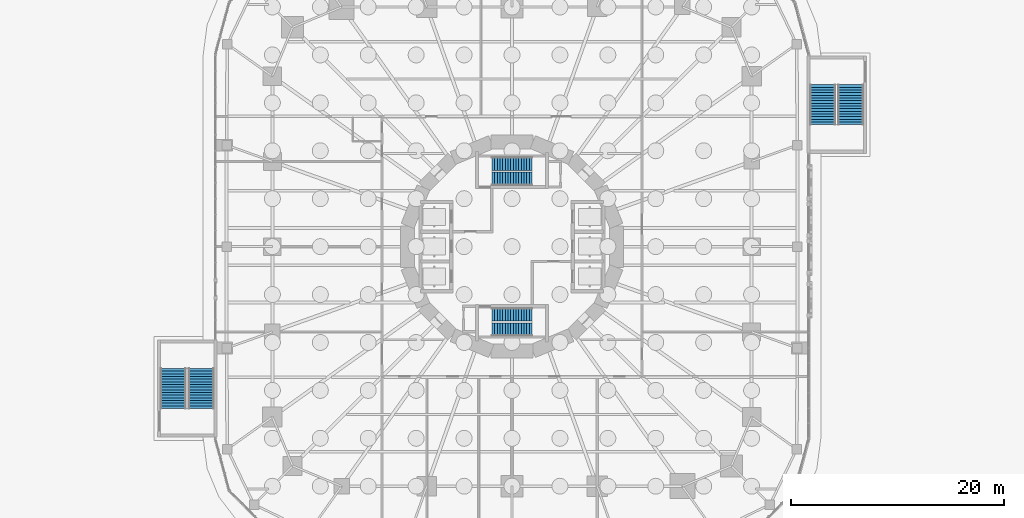
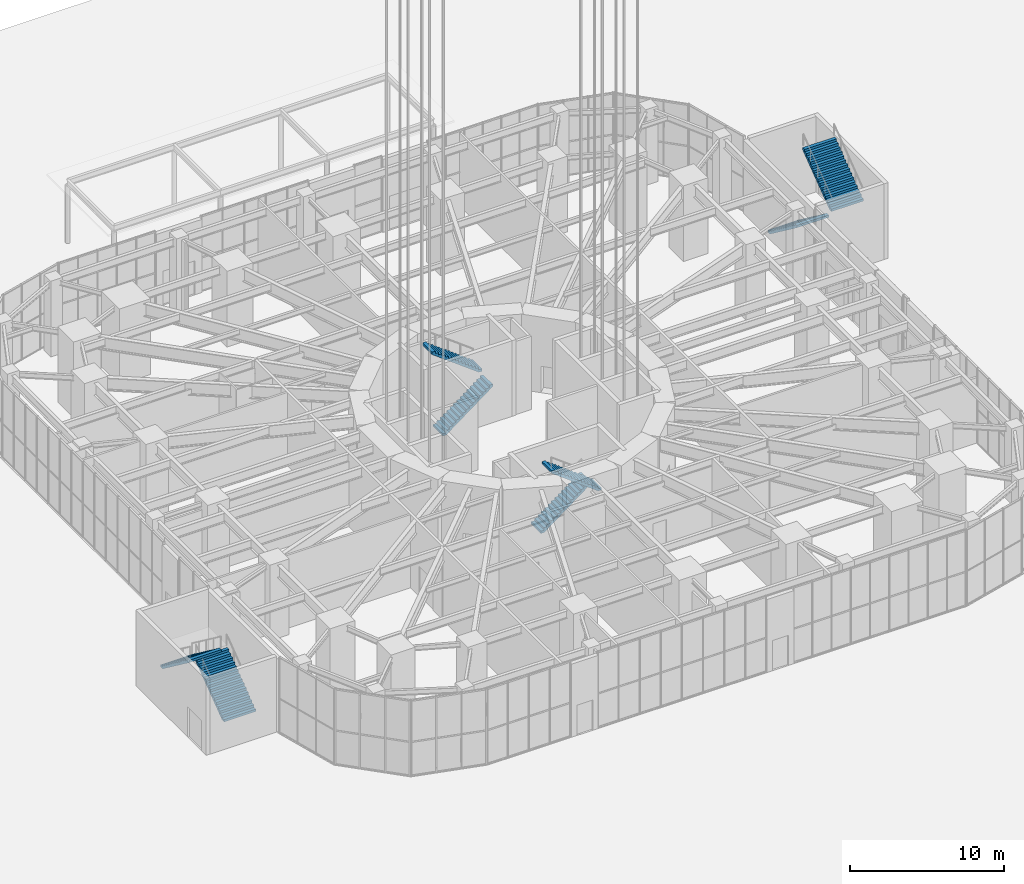
# One storey, part 29 of 43: 8 stair flights, 4 elements without a shape of their own.
"""IFC4 building model written with IfcOpenShell, lengths in metres."""

from ifc_helpers import new_model, si_unit, direction, frame, origin, place, context, subcontext, project, spatial, polyline, outline, extrude, material, type_object, element, aggregate, save


model = new_model("IFC4")

# Units and contexts
model_context = context("Model", 3, precision=1e-05, world=origin(), true_north=direction((0.0, 1.0)))
body_context = subcontext(model_context, "Body", "Model", "MODEL_VIEW")
ifc_project = project(units=[si_unit("LENGTHUNIT", "METRE"), si_unit("AREAUNIT", "SQUARE_METRE"), si_unit("VOLUMEUNIT", "CUBIC_METRE"), si_unit("PLANEANGLEUNIT", "RADIAN"), si_unit("MASSUNIT", "GRAM", prefix="KILO")], contexts=[model_context])

# Site, building, storey
site_placement = place(None, origin())
site = spatial("IfcSite", under=ifc_project, at=site_placement, CompositionType="ELEMENT")
building_placement = place(site_placement, origin())
building = spatial("IfcBuilding", under=site, at=building_placement, Name="Nakasero Lantern House", CompositionType="ELEMENT")
storey_placement = place(building_placement, origin())
storey = spatial("IfcBuildingStorey", under=building, at=storey_placement, Name="L00", CompositionType="ELEMENT", Elevation=0.0)

# Stair, stair flights
ifc_material_1 = material(Name="Concrete C40/50", Category="concrete")
stair_type_1 = type_object("IfcStairType", Name="Escape stair ST1 32 risers", PredefinedType="HALF_TURN_STAIR", material=ifc_material_1)
stair_1_placement = place(storey_placement, origin())
stair_1 = element("IfcStair", 1, at=stair_1_placement, inside=storey, type_object=stair_type_1, Name="Escape stair ST1 L00", PredefinedType="HALF_TURN_STAIR")
ifc_material_2 = material(Name="Concrete C40/50", Category="concrete")
stair_flight_type_1 = type_object("IfcStairFlightType", Name="Escape stair flight", PredefinedType="STRAIGHT", material=ifc_material_2)
stair_flight_1_placement = place(storey_placement, frame((-1.875, 6.375, 0.0), z_axis=(0.0, 0.0, 1.0), x_axis=(1.0, 0.0, 0.0)))
stair_flight_1 = element("IfcStairFlight", 2, at=stair_flight_1_placement, type_object=stair_flight_type_1, Name="ST1 flight 1", NumberOfRisers=16, NumberOfTreads=15, PredefinedType="STRAIGHT", RiserHeight=0.1875, TreadLength=0.25, context=body_context, shape_type="SweptSolid", body=[
    extrude(outline(polyline([(0.0, 0.0), (0.0, 0.1875), (0.25, 0.1875), (0.25, 0.375), (0.5, 0.375), (0.5, 0.5625), (0.75, 0.5625), (0.75, 0.75), (1.0, 0.75), (1.0, 0.9375), (1.25, 0.9375), (1.25, 1.125), (1.5, 1.125), (1.5, 1.3125), (1.75, 1.3125), (1.75, 1.5), (2.0, 1.5), (2.0, 1.6875), (2.25, 1.6875), (2.25, 1.875), (2.5, 1.875), (2.5, 2.0625), (2.75, 2.0625), (2.75, 2.25), (3.0, 2.25), (3.0, 2.4375), (3.25, 2.4375), (3.25, 2.625), (3.5, 2.625), (3.5, 2.8125), (3.75, 2.8125), (3.75, 3.0), (3.75, 2.625), (0.249755859375, 0.0), (0.0, 0.0)])), frame((0.0, 0.625, 0.0), z_axis=(0.0, -1.0, 0.0), x_axis=(1.0, 0.0, 0.0)), (0.0, 0.0, 1.0), 1.25),
])
stair_flight_2_placement = place(storey_placement, frame((1.875, 7.77490234375, 3.0), z_axis=(0.0, 0.0, 1.0), x_axis=(-1.0, 0.0, 0.0)))
stair_flight_2 = element("IfcStairFlight", 3, at=stair_flight_2_placement, type_object=stair_flight_type_1, Name="ST1 flight 2", NumberOfRisers=16, NumberOfTreads=15, PredefinedType="STRAIGHT", RiserHeight=0.1875, TreadLength=0.25, context=body_context, shape_type="SweptSolid", body=[
    extrude(outline(polyline([(0.0, 0.0), (0.0, 0.1875), (0.25, 0.1875), (0.25, 0.375), (0.5, 0.375), (0.5, 0.5625), (0.75, 0.5625), (0.75, 0.75), (1.0, 0.75), (1.0, 0.9375), (1.25, 0.9375), (1.25, 1.125), (1.5, 1.125), (1.5, 1.3125), (1.75, 1.3125), (1.75, 1.5), (2.0, 1.5), (2.0, 1.6875), (2.25, 1.6875), (2.25, 1.875), (2.5, 1.875), (2.5, 2.0625), (2.75, 2.0625), (2.75, 2.25), (3.0, 2.25), (3.0, 2.4375), (3.25, 2.4375), (3.25, 2.625), (3.5, 2.625), (3.5, 2.8125), (3.75, 2.8125), (3.75, 3.0), (3.75, 2.625), (0.249755859375, 0.0), (0.0, 0.0)])), frame((0.0, 0.625, 0.0), z_axis=(0.0, -1.0, 0.0), x_axis=(1.0, 0.0, 0.0)), (0.0, 0.0, 1.0), 1.25),
])
aggregate(stair_1, [stair_flight_1, stair_flight_2])

ifc_material_3 = material(Name="Concrete C40/50", Category="concrete")
stair_type_2 = type_object("IfcStairType", Name="Escape stair ST2 32 risers", PredefinedType="HALF_TURN_STAIR", material=ifc_material_3)
stair_2_placement = place(storey_placement, origin())
stair_2 = element("IfcStair", 4, at=stair_2_placement, inside=storey, type_object=stair_type_2, Name="Escape stair ST2 L00", PredefinedType="HALF_TURN_STAIR")
stair_flight_3_placement = place(storey_placement, frame((-1.875, -6.375, 0.0), z_axis=(0.0, 0.0, 1.0), x_axis=(1.0, 0.0, 0.0)))
stair_flight_3 = element("IfcStairFlight", 5, at=stair_flight_3_placement, type_object=stair_flight_type_1, Name="ST2 flight 1", NumberOfRisers=16, NumberOfTreads=15, PredefinedType="STRAIGHT", RiserHeight=0.1875, TreadLength=0.25, context=body_context, shape_type="SweptSolid", body=[
    extrude(outline(polyline([(0.0, 0.0), (0.0, 0.1875), (0.25, 0.1875), (0.25, 0.375), (0.5, 0.375), (0.5, 0.5625), (0.75, 0.5625), (0.75, 0.75), (1.0, 0.75), (1.0, 0.9375), (1.25, 0.9375), (1.25, 1.125), (1.5, 1.125), (1.5, 1.3125), (1.75, 1.3125), (1.75, 1.5), (2.0, 1.5), (2.0, 1.6875), (2.25, 1.6875), (2.25, 1.875), (2.5, 1.875), (2.5, 2.0625), (2.75, 2.0625), (2.75, 2.25), (3.0, 2.25), (3.0, 2.4375), (3.25, 2.4375), (3.25, 2.625), (3.5, 2.625), (3.5, 2.8125), (3.75, 2.8125), (3.75, 3.0), (3.75, 2.625), (0.249755859375, 0.0), (0.0, 0.0)])), frame((0.0, 0.625, 0.0), z_axis=(0.0, -1.0, 0.0), x_axis=(1.0, 0.0, 0.0)), (0.0, 0.0, 1.0), 1.25),
])
stair_flight_4_placement = place(storey_placement, frame((1.875, -7.77490234375, 3.0), z_axis=(0.0, 0.0, 1.0), x_axis=(-1.0, 0.0, 0.0)))
stair_flight_4 = element("IfcStairFlight", 6, at=stair_flight_4_placement, type_object=stair_flight_type_1, Name="ST2 flight 2", NumberOfRisers=16, NumberOfTreads=15, PredefinedType="STRAIGHT", RiserHeight=0.1875, TreadLength=0.25, context=body_context, shape_type="SweptSolid", body=[
    extrude(outline(polyline([(0.0, 0.0), (0.0, 0.1875), (0.25, 0.1875), (0.25, 0.375), (0.5, 0.375), (0.5, 0.5625), (0.75, 0.5625), (0.75, 0.75), (1.0, 0.75), (1.0, 0.9375), (1.25, 0.9375), (1.25, 1.125), (1.5, 1.125), (1.5, 1.3125), (1.75, 1.3125), (1.75, 1.5), (2.0, 1.5), (2.0, 1.6875), (2.25, 1.6875), (2.25, 1.875), (2.5, 1.875), (2.5, 2.0625), (2.75, 2.0625), (2.75, 2.25), (3.0, 2.25), (3.0, 2.4375), (3.25, 2.4375), (3.25, 2.625), (3.5, 2.625), (3.5, 2.8125), (3.75, 2.8125), (3.75, 3.0), (3.75, 2.625), (0.249755859375, 0.0), (0.0, 0.0)])), frame((0.0, 0.625, 0.0), z_axis=(0.0, -1.0, 0.0), x_axis=(1.0, 0.0, 0.0)), (0.0, 0.0, 1.0), 1.25),
])
aggregate(stair_2, [stair_flight_3, stair_flight_4])

ifc_material_4 = material(Name="Concrete C40/50", Category="concrete")
stair_type_3 = type_object("IfcStairType", Name="Escape stair PS1 32 risers 188", PredefinedType="HALF_TURN_STAIR", material=ifc_material_4)
stair_3_placement = place(storey_placement, origin())
stair_3 = element("IfcStair", 7, at=stair_3_placement, inside=storey, type_object=stair_type_3, Name="Escape stair PS1 L00", PredefinedType="HALF_TURN_STAIR")
ifc_material_5 = material(Name="Concrete C40/50", Category="concrete")
stair_flight_type_2 = type_object("IfcStairFlightType", Name="Podium stair flight 2400", PredefinedType="STRAIGHT", material=ifc_material_5)
stair_flight_5_placement = place(storey_placement, frame((29.199951171875, 15.199951171875, 0.0), z_axis=(0.0, 0.0, 1.0), x_axis=(0.0, -1.0, 0.0)))
stair_flight_5 = element("IfcStairFlight", 8, at=stair_flight_5_placement, type_object=stair_flight_type_2, Name="PS1 flight 1", NumberOfRisers=16, NumberOfTreads=15, PredefinedType="STRAIGHT", RiserHeight=0.1875, TreadLength=0.25, context=body_context, shape_type="SweptSolid", body=[
    extrude(outline(polyline([(0.0, 0.0), (0.0, 0.1875), (0.25, 0.1875), (0.25, 0.375), (0.5, 0.375), (0.5, 0.5625), (0.75, 0.5625), (0.75, 0.75), (1.0, 0.75), (1.0, 0.9375), (1.25, 0.9375), (1.25, 1.125), (1.5, 1.125), (1.5, 1.3125), (1.75, 1.3125), (1.75, 1.5), (2.0, 1.5), (2.0, 1.6875), (2.25, 1.6875), (2.25, 1.875), (2.5, 1.875), (2.5, 2.0625), (2.75, 2.0625), (2.75, 2.25), (3.0, 2.25), (3.0, 2.4375), (3.25, 2.4375), (3.25, 2.625), (3.5, 2.625), (3.5, 2.8125), (3.75, 2.8125), (3.75, 3.0), (3.75, 2.625), (0.249755859375, 0.0), (0.0, 0.0)])), frame((0.0, 1.199951171875, 0.0), z_axis=(0.0, -1.0, 0.0), x_axis=(1.0, 0.0, 0.0)), (0.0, 0.0, 1.0), 2.39990234375),
])
stair_flight_6_placement = place(storey_placement, frame((31.800048828125, 11.449951171875, 3.0), z_axis=(0.0, 0.0, 1.0), x_axis=(0.0, 1.0, 0.0)))
stair_flight_6 = element("IfcStairFlight", 9, at=stair_flight_6_placement, type_object=stair_flight_type_2, Name="PS1 flight 2", NumberOfRisers=16, NumberOfTreads=15, PredefinedType="STRAIGHT", RiserHeight=0.1875, TreadLength=0.25, context=body_context, shape_type="SweptSolid", body=[
    extrude(outline(polyline([(0.0, 0.0), (0.0, 0.1875), (0.25, 0.1875), (0.25, 0.375), (0.5, 0.375), (0.5, 0.5625), (0.75, 0.5625), (0.75, 0.75), (1.0, 0.75), (1.0, 0.9375), (1.25, 0.9375), (1.25, 1.125), (1.5, 1.125), (1.5, 1.3125), (1.75, 1.3125), (1.75, 1.5), (2.0, 1.5), (2.0, 1.6875), (2.25, 1.6875), (2.25, 1.875), (2.5, 1.875), (2.5, 2.0625), (2.75, 2.0625), (2.75, 2.25), (3.0, 2.25), (3.0, 2.4375), (3.25, 2.4375), (3.25, 2.625), (3.5, 2.625), (3.5, 2.8125), (3.75, 2.8125), (3.75, 3.0), (3.75, 2.625), (0.249755859375, 0.0), (0.0, 0.0)])), frame((0.0, 1.199951171875, 0.0), z_axis=(0.0, -1.0, 0.0), x_axis=(1.0, 0.0, 0.0)), (0.0, 0.0, 1.0), 2.39990234375),
])
aggregate(stair_3, [stair_flight_5, stair_flight_6])

ifc_material_6 = material(Name="Concrete C40/50", Category="concrete")
stair_type_4 = type_object("IfcStairType", Name="Escape stair PS2 32 risers 188", PredefinedType="HALF_TURN_STAIR", material=ifc_material_6)
stair_4_placement = place(storey_placement, origin())
stair_4 = element("IfcStair", 10, at=stair_4_placement, inside=storey, type_object=stair_type_4, Name="Escape stair PS2 L00", PredefinedType="HALF_TURN_STAIR")
stair_flight_7_placement = place(storey_placement, frame((-29.199951171875, -15.199951171875, 0.0), z_axis=(0.0, 0.0, 1.0), x_axis=(0.0, 1.0, 0.0)))
stair_flight_7 = element("IfcStairFlight", 11, at=stair_flight_7_placement, type_object=stair_flight_type_2, Name="PS2 flight 1", NumberOfRisers=16, NumberOfTreads=15, PredefinedType="STRAIGHT", RiserHeight=0.1875, TreadLength=0.25, context=body_context, shape_type="SweptSolid", body=[
    extrude(outline(polyline([(0.0, 0.0), (0.0, 0.1875), (0.25, 0.1875), (0.25, 0.375), (0.5, 0.375), (0.5, 0.5625), (0.75, 0.5625), (0.75, 0.75), (1.0, 0.75), (1.0, 0.9375), (1.25, 0.9375), (1.25, 1.125), (1.5, 1.125), (1.5, 1.3125), (1.75, 1.3125), (1.75, 1.5), (2.0, 1.5), (2.0, 1.6875), (2.25, 1.6875), (2.25, 1.875), (2.5, 1.875), (2.5, 2.0625), (2.75, 2.0625), (2.75, 2.25), (3.0, 2.25), (3.0, 2.4375), (3.25, 2.4375), (3.25, 2.625), (3.5, 2.625), (3.5, 2.8125), (3.75, 2.8125), (3.75, 3.0), (3.75, 2.625), (0.249755859375, 0.0), (0.0, 0.0)])), frame((0.0, 1.199951171875, 0.0), z_axis=(0.0, -1.0, 0.0), x_axis=(1.0, 0.0, 0.0)), (0.0, 0.0, 1.0), 2.39990234375),
])
stair_flight_8_placement = place(storey_placement, frame((-31.800048828125, -11.449951171875, 3.0), z_axis=(0.0, 0.0, 1.0), x_axis=(0.0, -1.0, 0.0)))
stair_flight_8 = element("IfcStairFlight", 12, at=stair_flight_8_placement, type_object=stair_flight_type_2, Name="PS2 flight 2", NumberOfRisers=16, NumberOfTreads=15, PredefinedType="STRAIGHT", RiserHeight=0.1875, TreadLength=0.25, context=body_context, shape_type="SweptSolid", body=[
    extrude(outline(polyline([(0.0, 0.0), (0.0, 0.1875), (0.25, 0.1875), (0.25, 0.375), (0.5, 0.375), (0.5, 0.5625), (0.75, 0.5625), (0.75, 0.75), (1.0, 0.75), (1.0, 0.9375), (1.25, 0.9375), (1.25, 1.125), (1.5, 1.125), (1.5, 1.3125), (1.75, 1.3125), (1.75, 1.5), (2.0, 1.5), (2.0, 1.6875), (2.25, 1.6875), (2.25, 1.875), (2.5, 1.875), (2.5, 2.0625), (2.75, 2.0625), (2.75, 2.25), (3.0, 2.25), (3.0, 2.4375), (3.25, 2.4375), (3.25, 2.625), (3.5, 2.625), (3.5, 2.8125), (3.75, 2.8125), (3.75, 3.0), (3.75, 2.625), (0.249755859375, 0.0), (0.0, 0.0)])), frame((0.0, 1.199951171875, 0.0), z_axis=(0.0, -1.0, 0.0), x_axis=(1.0, 0.0, 0.0)), (0.0, 0.0, 1.0), 2.39990234375),
])
aggregate(stair_4, [stair_flight_7, stair_flight_8])

save(model, "model.ifc")
